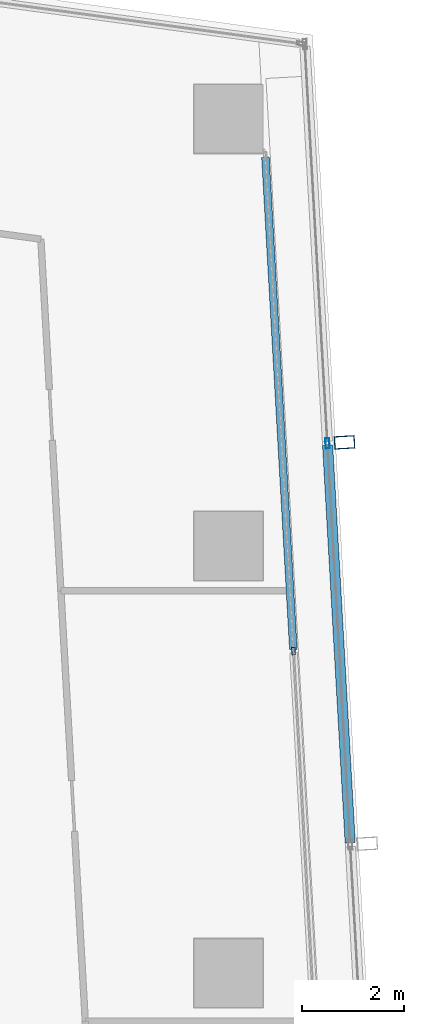
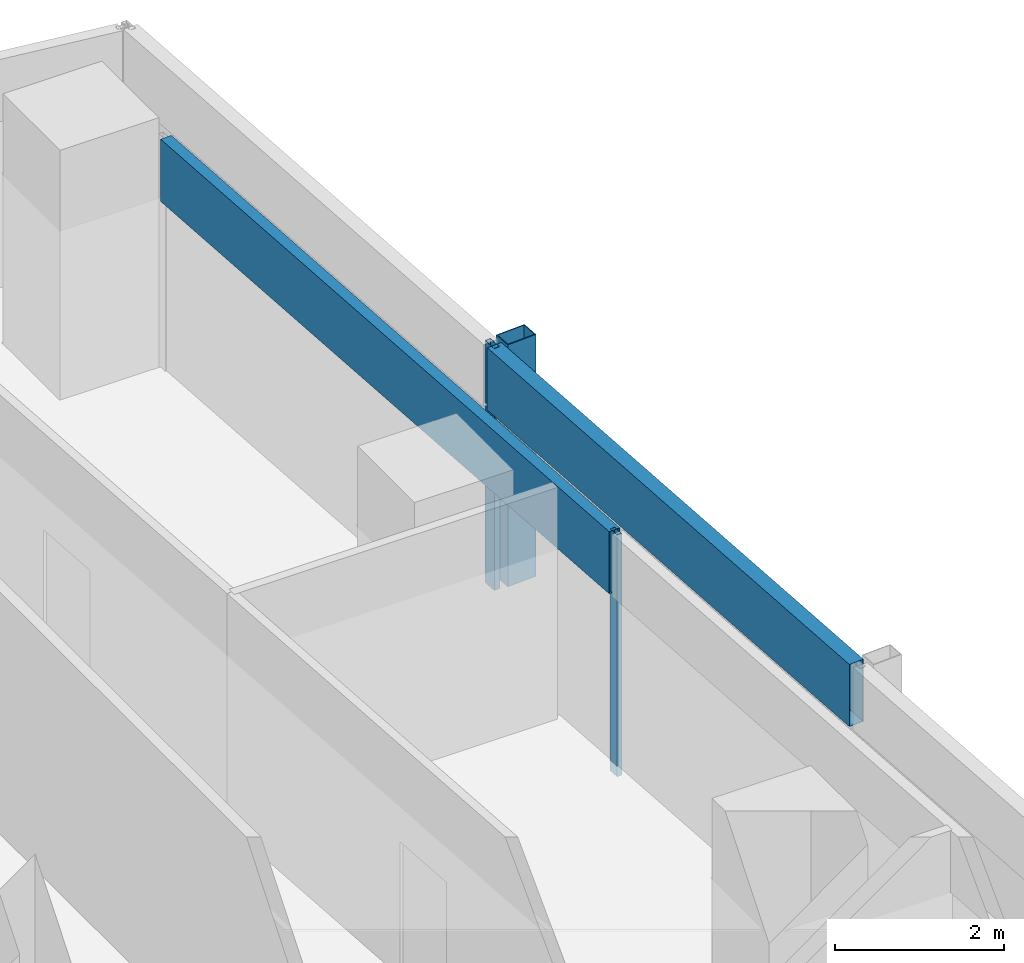
# One storey, part 23 of 39: 5 members, 2 elements without a shape of their own.
"""IFC4 building model written with IfcOpenShell, lengths in metres."""

from ifc_helpers import new_model, si_unit, direction, frame, origin, origin_2d, place, context, subcontext, project, spatial, hollow_rectangle, extrude, material, material_profile, profile_set, type_object, element, aggregate, save


model = new_model("IFC4")

# Units and contexts
model_context = context("Model", 3, precision=1e-05, world=origin(), true_north=direction((0.0, 1.0)))
body_context = subcontext(model_context, "Body", "Model", "MODEL_VIEW")
ifc_project = project(units=[si_unit("LENGTHUNIT", "METRE"), si_unit("AREAUNIT", "SQUARE_METRE"), si_unit("VOLUMEUNIT", "CUBIC_METRE"), si_unit("PLANEANGLEUNIT", "RADIAN"), si_unit("MASSUNIT", "GRAM", prefix="KILO")], contexts=[model_context])

# Site, building, storey
site_placement = place(None, origin())
site = spatial("IfcSite", under=ifc_project, at=site_placement, CompositionType="ELEMENT")
building_placement = place(site_placement, origin())
building = spatial("IfcBuilding", under=site, at=building_placement, Name="Rekha Terrace Tower", CompositionType="ELEMENT")
storey_placement = place(building_placement, frame((0.0, 0.0, 187.699951171875)))
storey = spatial("IfcBuildingStorey", under=building, at=storey_placement, Name="L47", CompositionType="ELEMENT", Elevation=187.699951171875)

# Curtain wall, member
ifc_material_1 = material(Name="Aluminium framing", Category="aluminium")
curtain_wall_type_1 = type_object("IfcCurtainWallType", Name="CW2 double skin outer glazing", PredefinedType="USERDEFINED", material=ifc_material_1)
curtain_wall_1_placement = place(storey_placement, origin())
curtain_wall_1 = element("IfcCurtainWall", 1, at=curtain_wall_1_placement, inside=storey, type_object=curtain_wall_type_1, Name="CW2 double skin outer glazing", ObjectType="DOUBLE SKIN OUTER GLAZING", PredefinedType="USERDEFINED")
ifc_material_2 = material(Name="Steel S355 with fluorocarbon finish", Category="steel")
ifc_material_profile_1 = material_profile(ifc_material_2, hollow_rectangle(XDim=0.25, YDim=0.39990234375, WallThickness=0.012451171875, at=origin_2d()), Name="RHS400x250x12.5")
ifc_profile_set_1 = profile_set([ifc_material_profile_1], Name="Steel S355 with fluorocarbon finish")
member_type_1 = type_object("IfcMemberType", Name="BL1 facade blade RHS 400 x 250", PredefinedType="USERDEFINED", material=ifc_profile_set_1)
member_1_placement = place(storey_placement, frame((61.080078125, 52.4375, 0.0), z_axis=(0.0, 0.0, 1.0), x_axis=(-0.056673619809, 0.998392758797, 0.0)))
member_1 = element("IfcMember", 2, at=member_1_placement, type_object=member_type_1, Name="Facade blade", ObjectType="FACADE BLADE", PredefinedType="USERDEFINED", context=body_context, shape_type="SweptSolid", body=[
    extrude(hollow_rectangle(XDim=0.25, YDim=0.39990234375, WallThickness=0.012451171875, at=origin_2d()), origin(), (0.0, 0.0, 1.0), 3.5),
])

# Curtain wall, members
curtain_wall_type_2 = type_object("IfcCurtainWallType", Name="CW1 double skin inner glazing", PredefinedType="USERDEFINED", material=ifc_material_1)
curtain_wall_2_placement = place(storey_placement, origin())
curtain_wall_2 = element("IfcCurtainWall", 3, at=curtain_wall_2_placement, inside=storey, type_object=curtain_wall_type_2, Name="CW1 double skin inner glazing", ObjectType="DOUBLE SKIN INNER GLAZING", PredefinedType="USERDEFINED")
ifc_material_3 = material(Name="Aluminium mullion section", Category="aluminium")
ifc_material_profile_2 = material_profile(ifc_material_3, hollow_rectangle(XDim=0.06494140625, YDim=0.14990234375, WallThickness=0.00390625, at=origin_2d()), Name="AL RHS 65x150")
ifc_profile_set_2 = profile_set([ifc_material_profile_2], Name="Aluminium mullion section")
member_type_2 = type_object("IfcMemberType", Name="CW1 mullion RHS 65 x 150", PredefinedType="MULLION", material=ifc_profile_set_2)
member_2_placement = place(storey_placement, frame((60.076171875, 48.331787109375, 0.0), z_axis=(0.0, 0.0, 1.0), x_axis=(-0.998392782919, -0.05667319486, 0.0)))
member_2 = element("IfcMember", 4, at=member_2_placement, type_object=member_type_2, Name="CW1 mullion 3", PredefinedType="MULLION", context=body_context, shape_type="SweptSolid", body=[
    extrude(hollow_rectangle(XDim=0.06494140625, YDim=0.14990234375, WallThickness=0.00390625, at=origin_2d()), origin(), (0.0, 0.0, 1.0), 3.5),
])
ifc_material_4 = material(Name="Insulated aluminium spandrel box", Category="aluminium")
ifc_material_profile_3 = material_profile(ifc_material_4, hollow_rectangle(XDim=0.14990234375, YDim=0.89990234375, WallThickness=0.0029296875, at=origin_2d()), Name="AL SPANDREL BOX 150x900")
ifc_profile_set_3 = profile_set([ifc_material_profile_3], Name="Insulated aluminium spandrel box")
member_type_3 = type_object("IfcMemberType", Name="CW1 spandrel transom 150 x 900", PredefinedType="USERDEFINED", material=ifc_profile_set_3)
member_3_placement = place(storey_placement, frame((60.07421875, 48.3642578125, 3.050048828125), z_axis=(-0.056665357377, 0.998393227778, 0.0), x_axis=(-0.998393227778, -0.056665357377, 0.0)))
member_3 = element("IfcMember", 5, at=member_3_placement, type_object=member_type_3, Name="CW1 spandrel transom 3", ObjectType="TRANSOM", PredefinedType="USERDEFINED", context=body_context, shape_type="SweptSolid", body=[
    extrude(hollow_rectangle(XDim=0.14990234375, YDim=0.89990234375, WallThickness=0.0029296875, at=origin_2d()), origin(), (0.0, 0.0, 1.0), 9.694091796875),
])
aggregate(curtain_wall_2, [member_2, member_3])

# Member
ifc_material_profile_4 = material_profile(ifc_material_3, hollow_rectangle(XDim=0.080078125, YDim=0.199951171875, WallThickness=0.00390625, at=origin_2d()), Name="AL RHS 80x200")
ifc_profile_set_4 = profile_set([ifc_material_profile_4], Name="Aluminium mullion section")
member_type_4 = type_object("IfcMemberType", Name="CW2 mullion RHS 80 x 200", PredefinedType="MULLION", material=ifc_profile_set_4)
member_4_placement = place(storey_placement, frame((60.74560546875, 52.41845703125, 0.0), z_axis=(0.0, 0.0, 1.0), x_axis=(-0.998392782919, -0.05667319486, 0.0)))
member_4 = element("IfcMember", 6, at=member_4_placement, type_object=member_type_4, Name="CW2 mullion 4", PredefinedType="MULLION", context=body_context, shape_type="SweptSolid", body=[
    extrude(hollow_rectangle(XDim=0.080078125, YDim=0.199951171875, WallThickness=0.00390625, at=origin_2d()), origin(), (0.0, 0.0, 1.0), 3.5),
])

ifc_material_profile_5 = material_profile(ifc_material_4, hollow_rectangle(XDim=0.199951171875, YDim=0.89990234375, WallThickness=0.0029296875, at=origin_2d()), Name="AL SPANDREL BOX 200x900")
ifc_profile_set_5 = profile_set([ifc_material_profile_5], Name="Insulated aluminium spandrel box")
member_type_5 = type_object("IfcMemberType", Name="CW2 spandrel transom 200 x 900", PredefinedType="USERDEFINED", material=ifc_profile_set_5)
member_5_placement = place(storey_placement, frame((61.19140625, 44.567626953125, 3.050048828125), z_axis=(-0.056702299999, 0.998391130357, 0.0), x_axis=(-0.998391130357, -0.056702299999, 0.0)))
member_5 = element("IfcMember", 7, at=member_5_placement, type_object=member_type_5, Name="CW2 spandrel transom 3", ObjectType="TRANSOM", PredefinedType="USERDEFINED", context=body_context, shape_type="SweptSolid", body=[
    extrude(hollow_rectangle(XDim=0.199951171875, YDim=0.89990234375, WallThickness=0.0029296875, at=origin_2d()), origin(), (0.0, 0.0, 1.0), 7.823486328125),
])

aggregate(curtain_wall_1, [member_4, member_5, member_1])

save(model, "model.ifc")
